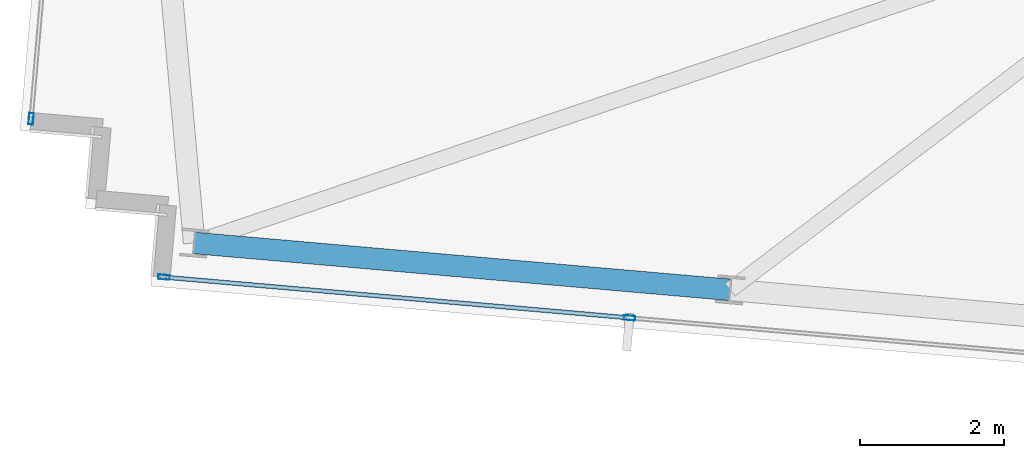
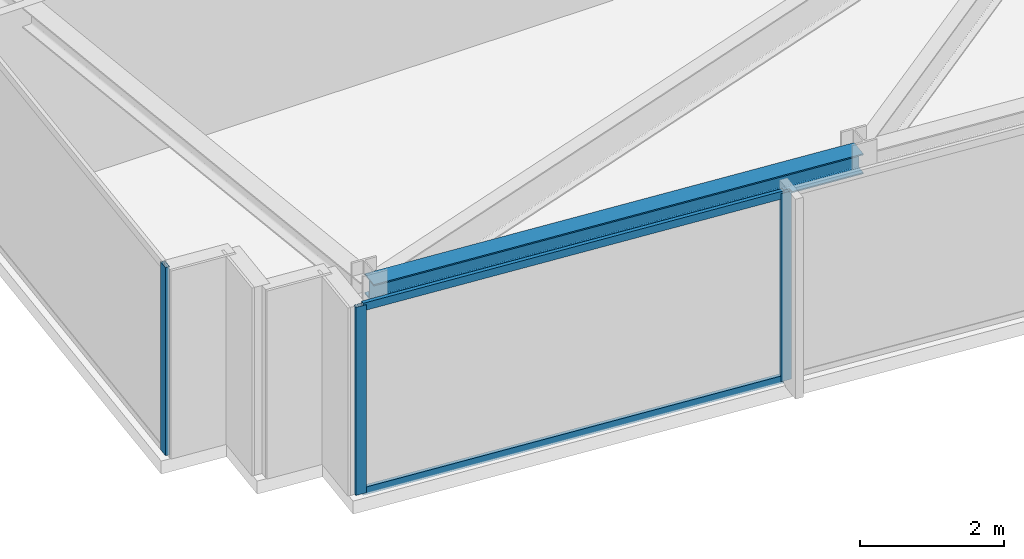
# One storey, part 2 of 32: 5 members, 1 beam, 2 elements without a shape of their own.
"""IFC4 building model written with IfcOpenShell, lengths in metres."""

from ifc_helpers import new_model, si_unit, direction, frame, origin, origin_2d, place, context, subcontext, project, spatial, hollow_rectangle, i_section, extrude, material, material_profile, profile_set, type_object, element, aggregate, save


model = new_model("IFC4")

# Units and contexts
model_context = context("Model", 3, precision=1e-05, world=origin(), true_north=direction((0.0, 1.0)))
body_context = subcontext(model_context, "Body", "Model", "MODEL_VIEW")
ifc_project = project(units=[si_unit("LENGTHUNIT", "METRE"), si_unit("AREAUNIT", "SQUARE_METRE"), si_unit("VOLUMEUNIT", "CUBIC_METRE"), si_unit("PLANEANGLEUNIT", "RADIAN"), si_unit("MASSUNIT", "GRAM", prefix="KILO")], contexts=[model_context])

# Site, building, storey
site_placement = place(None, origin())
site = spatial("IfcSite", under=ifc_project, at=site_placement, CompositionType="ELEMENT")
building_placement = place(site_placement, origin())
building = spatial("IfcBuilding", under=site, at=building_placement, Name="Yelkora Congress Tower", CompositionType="ELEMENT")
storey_placement = place(building_placement, frame((0.0, 0.0, 265.89990234375)))
storey = spatial("IfcBuildingStorey", under=building, at=storey_placement, Name="L74", CompositionType="ELEMENT", Elevation=265.89990234375)

# Beam
ifc_material_1 = material(Name="Steel S355J2", Category="steel")
ifc_material_profile_1 = material_profile(ifc_material_1, i_section(OverallWidth=0.300048828125, OverallDepth=0.340087890625, WebThickness=0.011962890625, FlangeThickness=0.021484375, FilletRadius=0.027099609375, at=origin_2d()), Name="HEB 340")
ifc_profile_set_1 = profile_set([ifc_material_profile_1], Name="Steel S355J2")
beam_type = type_object("IfcBeamType", Name="BM-SPAN-HEB340", PredefinedType="SPANDREL", material=ifc_profile_set_1)
beam_placement = place(storey_placement, frame((7.998046875, 20.097900390625, 3.010009765625), z_axis=(0.996193186297, -0.08717302092, 0.0), x_axis=(0.08717302092, 0.996193186297, 0.0)))
element("IfcBeam", 1, at=beam_placement, inside=storey, type_object=beam_type, Name="L74 Perimeter Beam 1", PredefinedType="SPANDREL", context=body_context, shape_type="SweptSolid", body=[
    extrude(i_section(OverallWidth=0.300048828125, OverallDepth=0.340087890625, WebThickness=0.011962890625, FlangeThickness=0.021484375, FilletRadius=0.027099609375, at=origin_2d()), origin(), (0.0, 0.0, 1.0), 7.4833984375),
])

# Curtain wall, member
ifc_material_2 = material(Name="Anodised aluminium and insulated glass", Category="aluminium")
curtain_wall_type = type_object("IfcCurtainWallType", Name="CW-SYS-B5", PredefinedType="NOTDEFINED", material=ifc_material_2)
curtain_wall_1_placement = place(storey_placement, origin())
curtain_wall_1 = element("IfcCurtainWall", 2, at=curtain_wall_1_placement, inside=storey, type_object=curtain_wall_type, Name="L74 Unitised Curtain Wall 5", PredefinedType="NOTDEFINED")
ifc_material_3 = material(Name="Anodised aluminium 6063-T6", Category="aluminium")
ifc_material_profile_2 = material_profile(ifc_material_3, hollow_rectangle(XDim=0.06494140625, YDim=0.159912109375, WallThickness=0.00390625, at=origin_2d()), Name="ALU 65x160x4")
ifc_profile_set_2 = profile_set([ifc_material_profile_2], Name="Anodised aluminium 6063-T6")
member_type_1 = type_object("IfcMemberType", Name="MEM-ML-B5", PredefinedType="MULLION", material=ifc_profile_set_2)
member_1_placement = place(storey_placement, frame((5.72998046875, 21.824462890625, 0.0), z_axis=(0.0, 0.0, 1.0), x_axis=(-0.996194785929, 0.08715473876, 0.0)))
member_1 = element("IfcMember", 3, at=member_1_placement, type_object=member_type_1, Name="CW-B5 mullion 1", PredefinedType="MULLION", context=body_context, shape_type="SweptSolid", body=[
    extrude(hollow_rectangle(XDim=0.06494140625, YDim=0.159912109375, WallThickness=0.00390625, at=origin_2d()), origin(), (0.0, 0.0, 1.0), 3.18017578125),
])
aggregate(curtain_wall_1, [member_1])

# Curtain wall, members
curtain_wall_2_placement = place(storey_placement, origin())
curtain_wall_2 = element("IfcCurtainWall", 4, at=curtain_wall_2_placement, inside=storey, type_object=curtain_wall_type, Name="L74 Unitised Curtain Wall 20", PredefinedType="NOTDEFINED")
member_2_placement = place(storey_placement, frame((14.0517578125, 19.05615234375, 0.0), z_axis=(0.0, 0.0, 1.0), x_axis=(-0.087156829793, -0.996194602987, 0.0)))
member_2 = element("IfcMember", 5, at=member_2_placement, type_object=member_type_1, Name="CW-B5 mullion 7", PredefinedType="MULLION", context=body_context, shape_type="SweptSolid", body=[
    extrude(hollow_rectangle(XDim=0.06494140625, YDim=0.159912109375, WallThickness=0.00390625, at=origin_2d()), origin(), (0.0, 0.0, 1.0), 3.18017578125),
])
member_3_placement = place(storey_placement, frame((7.57763671875, 19.62255859375, 0.0), z_axis=(0.0, 0.0, 1.0), x_axis=(-0.087156829793, -0.996194602987, 0.0)))
member_3 = element("IfcMember", 6, at=member_3_placement, type_object=member_type_1, Name="CW-B5 mullion 8", PredefinedType="MULLION", context=body_context, shape_type="SweptSolid", body=[
    extrude(hollow_rectangle(XDim=0.06494140625, YDim=0.159912109375, WallThickness=0.00390625, at=origin_2d()), origin(), (0.0, 0.0, 1.0), 3.18017578125),
])
ifc_material_profile_3 = material_profile(ifc_material_3, hollow_rectangle(XDim=0.06005859375, YDim=0.1298828125, WallThickness=0.00390625, at=origin_2d()), Name="ALU 60x130x4")
ifc_profile_set_3 = profile_set([ifc_material_profile_3], Name="Anodised aluminium 6063-T6")
member_type_2 = type_object("IfcMemberType", Name="MEM-TR-B5", PredefinedType="USERDEFINED", material=ifc_profile_set_3)
member_4_placement = place(storey_placement, frame((14.019287109375, 19.05908203125, 0.030029296875), z_axis=(-0.996194170551, 0.08716177236, 0.0), x_axis=(-0.08716177236, -0.996194170551, 0.0)))
member_4 = element("IfcMember", 7, at=member_4_placement, type_object=member_type_2, Name="CW-B5 transom 7.1", ObjectType="TRANSOM", PredefinedType="USERDEFINED", context=body_context, shape_type="SweptSolid", body=[
    extrude(hollow_rectangle(XDim=0.06005859375, YDim=0.1298828125, WallThickness=0.00390625, at=origin_2d()), origin(), (0.0, 0.0, 1.0), 6.433837890625),
])
member_5_placement = place(storey_placement, frame((14.019287109375, 19.05908203125, 3.150146484375), z_axis=(-0.996194170551, 0.08716177236, 0.0), x_axis=(-0.08716177236, -0.996194170551, 0.0)))
member_5 = element("IfcMember", 8, at=member_5_placement, type_object=member_type_2, Name="CW-B5 transom 7.2", ObjectType="TRANSOM", PredefinedType="USERDEFINED", context=body_context, shape_type="SweptSolid", body=[
    extrude(hollow_rectangle(XDim=0.06005859375, YDim=0.1298828125, WallThickness=0.00390625, at=origin_2d()), origin(), (0.0, 0.0, 1.0), 6.433837890625),
])
aggregate(curtain_wall_2, [member_2, member_3, member_4, member_5])

save(model, "model.ifc")
